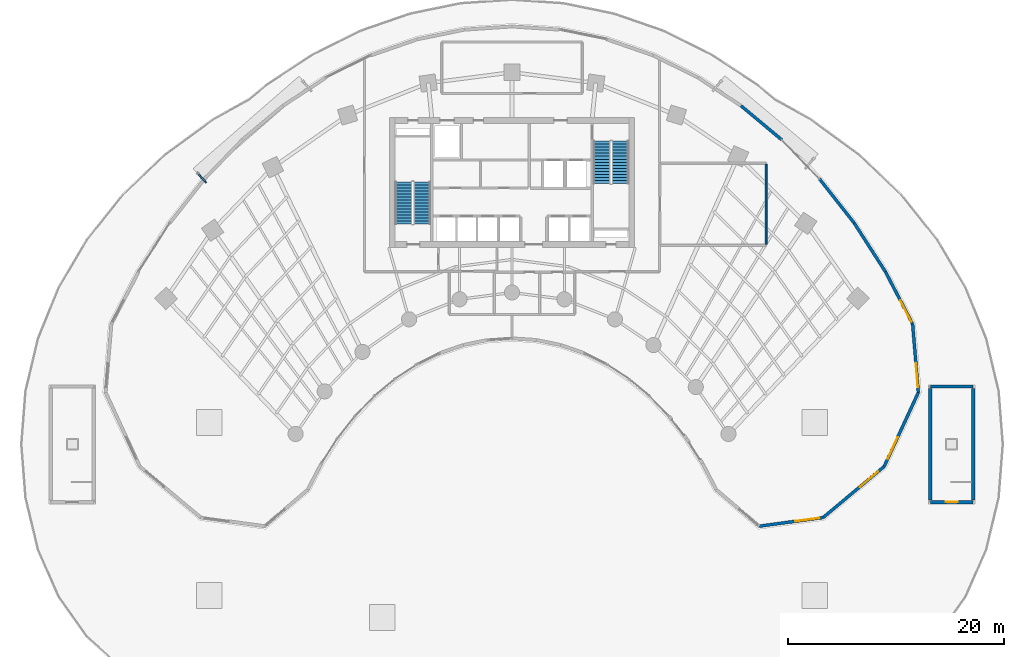
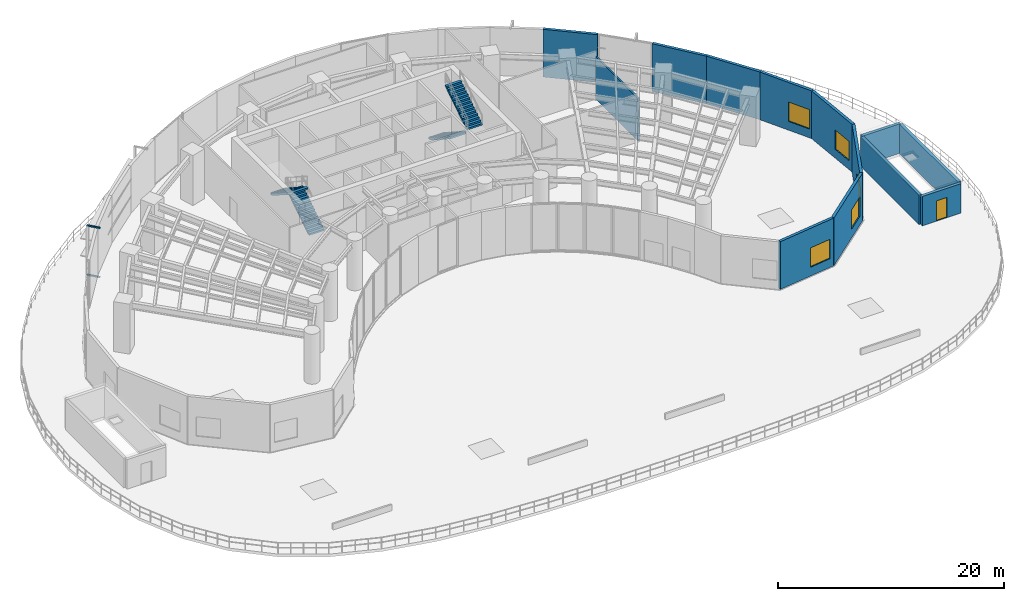
# One storey, part 12 of 17: 13 walls, 5 windows, 4 stair flights, 2 discrete accessories, 1 door, 6 openings, 2 elements without a shape of their own.
"""IFC4 building model written with IfcOpenShell, lengths in metres."""

from ifc_helpers import new_model, si_unit, direction, frame, frame_2d, origin, origin_2d, place, context, subcontext, project, spatial, polyline, rectangle, outline, extrude, source, transform, mapped, material, layer, layer_set, type_object, type_shapes, element, fill, aggregate, save


model = new_model("IFC4")

# Units and contexts
model_context = context("Model", 3, precision=1e-05, world=origin(), true_north=direction((0.0, 1.0)))
body_context = subcontext(model_context, "Body", "Model", "MODEL_VIEW")
ifc_project = project(units=[si_unit("LENGTHUNIT", "METRE"), si_unit("AREAUNIT", "SQUARE_METRE"), si_unit("VOLUMEUNIT", "CUBIC_METRE"), si_unit("PLANEANGLEUNIT", "RADIAN"), si_unit("MASSUNIT", "GRAM", prefix="KILO")], contexts=[model_context])

# Site, building, storey
site_placement = place(None, origin())
site = spatial("IfcSite", under=ifc_project, at=site_placement, CompositionType="ELEMENT")
building_placement = place(site_placement, origin())
building = spatial("IfcBuilding", under=site, at=building_placement, Name="Breltana Convention Tower", CompositionType="ELEMENT")
storey_placement = place(building_placement, frame((0.0, 0.0, 30.0)))
storey = spatial("IfcBuildingStorey", under=building, at=storey_placement, Name="L05", CompositionType="ELEMENT", Elevation=30.0)

# Wall, opening, window
ifc_material_1 = material(Name="Limestone Buff Insulated Wall", Category="masonry")
ifc_layer_1 = layer(ifc_material_1, 0.280029296875, Name="Limestone Buff Insulated Wall")
ifc_layer_set_1 = layer_set([ifc_layer_1], Name="Limestone Buff Insulated Wall")
wall_type_1 = type_object("IfcWallType", Name="WL-EXT-NOSE-280", PredefinedType="SOLIDWALL", material=ifc_layer_set_1)
shared_shape_1 = source(origin(), body_context, "Body", "SweptSolid", [
    extrude(rectangle(XDim=6.3525390625, YDim=0.280029296875, at=frame_2d((3.17626953125, 0.0))), origin(), (0.0, 0.0, 1.0), 5.159912109375),
])
type_shapes(wall_type_1, [shared_shape_1])
wall_1_placement = place(storey_placement, frame((85.052978515625, 53.1220703125, 0.0), z_axis=(0.0, 0.0, 1.0), x_axis=(0.083319001377, -0.996522926986, 0.0)))
wall_1 = element("IfcWall", 1, at=wall_1_placement, inside=storey, type_object=wall_type_1, Name="L05 curved limestone nose wall E1", PredefinedType="SOLIDWALL", context=body_context, shape_type="MappedRepresentation", body=[
    mapped(shared_shape_1, transform((0.0, 0.0, 0.0), scale=1.0)),
])
opening_1_placement = place(wall_1_placement, frame((3.664306640625, 0.0, 0.949951171875)))
opening_1 = element("IfcOpeningElement", 2, at=opening_1_placement, cuts=wall_1, Name="Opening W-03", PredefinedType="OPENING", context=body_context, shape_type="SweptSolid", body=[
    extrude(rectangle(XDim=2.199951171875, YDim=2.10009765625, at=frame_2d((1.10009765625, 1.050048828125))), frame((0.0, 0.14990234375, 0.0), z_axis=(0.0, -1.0, 0.0), x_axis=(1.0, 0.0, 0.0)), (0.0, 0.0, 1.0), 0.300048828125),
])
ifc_material_2 = material(Name="Glass Low-E Insulated Window", Category="glass")
window_type = type_object("IfcWindowType", Name="WN-NOSE-2200X2100", PartitioningType="TRIPLE_PANEL_VERTICAL", PredefinedType="WINDOW", material=ifc_material_2)
shared_shape_2 = source(origin(), body_context, "Body", "SweptSolid", [
    extrude(rectangle(XDim=2.199951171875, YDim=2.10009765625, at=frame_2d((1.10009765625, 1.050048828125))), frame((0.0, 0.030029296875, 0.0), z_axis=(0.0, -1.0, 0.0), x_axis=(1.0, 0.0, 0.0)), (0.0, 0.0, 1.0), 0.06005859375),
])
type_shapes(window_type, [shared_shape_2])
window_1_placement = place(opening_1_placement, origin())
window_1 = element("IfcWindow", 3, at=window_1_placement, inside=storey, type_object=window_type, Name="L05 nose window E1", OverallHeight=2.10009765625, OverallWidth=2.199951171875, PartitioningType="TRIPLE_PANEL_VERTICAL", PredefinedType="WINDOW", context=body_context, shape_type="MappedRepresentation", body=[
    mapped(shared_shape_2, transform((0.0, 0.0, 0.0), scale=1.0)),
])
fill(opening_1, window_1)

shared_shape_3 = source(origin(), body_context, "Body", "SweptSolid", [
    extrude(rectangle(XDim=7.536376953125, YDim=0.280029296875, at=frame_2d((3.76806640625, 0.0))), origin(), (0.0, 0.0, 1.0), 5.159912109375),
])
wall_2_placement = place(storey_placement, frame((85.582275390625, 46.79150390625, 0.0), z_axis=(0.0, 0.0, 1.0), x_axis=(-0.41964973873, -0.907686122393, 0.0)))
wall_2 = element("IfcWall", 4, at=wall_2_placement, inside=storey, type_object=wall_type_1, Name="L05 curved limestone nose wall E2", PredefinedType="SOLIDWALL", context=body_context, shape_type="MappedRepresentation", body=[
    mapped(shared_shape_3, transform((0.0, 0.0, 0.0), scale=1.0)),
])
opening_2_placement = place(wall_2_placement, frame((4.55224609375, 0.0, 0.949951171875)))
opening_2 = element("IfcOpeningElement", 5, at=opening_2_placement, cuts=wall_2, Name="Opening W-03", PredefinedType="OPENING", context=body_context, shape_type="SweptSolid", body=[
    extrude(rectangle(XDim=2.199951171875, YDim=2.10009765625, at=frame_2d((1.10009765625, 1.050048828125))), frame((0.0, 0.14990234375, 0.0), z_axis=(0.0, -1.0, 0.0), x_axis=(1.0, 0.0, 0.0)), (0.0, 0.0, 1.0), 0.300048828125),
])
window_2_placement = place(opening_2_placement, origin())
window_2 = element("IfcWindow", 6, at=window_2_placement, inside=storey, type_object=window_type, Name="L05 nose window E2", OverallHeight=2.10009765625, OverallWidth=2.199951171875, PartitioningType="TRIPLE_PANEL_VERTICAL", PredefinedType="WINDOW", context=body_context, shape_type="MappedRepresentation", body=[
    mapped(shared_shape_2, transform((0.0, 0.0, 0.0), scale=1.0)),
])
fill(opening_2, window_2)

shared_shape_4 = source(origin(), body_context, "Body", "SweptSolid", [
    extrude(rectangle(XDim=7.35888671875, YDim=0.280029296875, at=frame_2d((3.679443359375, 0.0))), origin(), (0.0, 0.0, 1.0), 5.159912109375),
])
wall_3_placement = place(storey_placement, frame((82.419677734375, 39.950927734375, 0.0), z_axis=(0.0, 0.0, 1.0), x_axis=(-0.766737165543, -0.641961150675, 0.0)))
wall_3 = element("IfcWall", 7, at=wall_3_placement, inside=storey, type_object=wall_type_1, Name="L05 curved limestone nose wall E3", PredefinedType="SOLIDWALL", context=body_context, shape_type="MappedRepresentation", body=[
    mapped(shared_shape_4, transform((0.0, 0.0, 0.0), scale=1.0)),
])
opening_3_placement = place(wall_3_placement, frame((0.73974609375, 0.0, 0.949951171875)))
opening_3 = element("IfcOpeningElement", 8, at=opening_3_placement, cuts=wall_3, Name="Opening W-03", PredefinedType="OPENING", context=body_context, shape_type="SweptSolid", body=[
    extrude(rectangle(XDim=2.199951171875, YDim=2.10009765625, at=frame_2d((1.10009765625, 1.050048828125))), frame((0.0, 0.14990234375, 0.0), z_axis=(0.0, -1.0, 0.0), x_axis=(1.0, 0.0, 0.0)), (0.0, 0.0, 1.0), 0.300048828125),
])
window_3_placement = place(opening_3_placement, origin())
window_3 = element("IfcWindow", 9, at=window_3_placement, inside=storey, type_object=window_type, Name="L05 nose window E3", OverallHeight=2.10009765625, OverallWidth=2.199951171875, PartitioningType="TRIPLE_PANEL_VERTICAL", PredefinedType="WINDOW", context=body_context, shape_type="MappedRepresentation", body=[
    mapped(shared_shape_2, transform((0.0, 0.0, 0.0), scale=1.0)),
])
fill(opening_3, window_3)

shared_shape_5 = source(origin(), body_context, "Body", "SweptSolid", [
    extrude(rectangle(XDim=5.96728515625, YDim=0.280029296875, at=frame_2d((2.983642578125, 0.0))), origin(), (0.0, 0.0, 1.0), 5.159912109375),
])
wall_4_placement = place(storey_placement, frame((76.77734375, 35.226806640625, 0.0), z_axis=(0.0, 0.0, 1.0), x_axis=(-0.990927009341, -0.134401124099, 0.0)))
wall_4 = element("IfcWall", 10, at=wall_4_placement, inside=storey, type_object=wall_type_1, Name="L05 curved limestone nose wall E4", PredefinedType="SOLIDWALL", context=body_context, shape_type="MappedRepresentation", body=[
    mapped(shared_shape_5, transform((0.0, 0.0, 0.0), scale=1.0)),
])
opening_4_placement = place(wall_4_placement, frame((0.391845703125, 0.0, 0.949951171875)))
opening_4 = element("IfcOpeningElement", 11, at=opening_4_placement, cuts=wall_4, Name="Opening W-03", PredefinedType="OPENING", context=body_context, shape_type="SweptSolid", body=[
    extrude(rectangle(XDim=2.199951171875, YDim=2.10009765625, at=frame_2d((1.10009765625, 1.050048828125))), frame((0.0, 0.14990234375, 0.0), z_axis=(0.0, -1.0, 0.0), x_axis=(1.0, 0.0, 0.0)), (0.0, 0.0, 1.0), 0.300048828125),
])
window_4_placement = place(opening_4_placement, origin())
window_4 = element("IfcWindow", 12, at=window_4_placement, inside=storey, type_object=window_type, Name="L05 nose window E4", OverallHeight=2.10009765625, OverallWidth=2.199951171875, PartitioningType="TRIPLE_PANEL_VERTICAL", PredefinedType="WINDOW", context=body_context, shape_type="MappedRepresentation", body=[
    mapped(shared_shape_2, transform((0.0, 0.0, 0.0), scale=1.0)),
])
fill(opening_4, window_4)

shared_shape_6 = source(origin(), body_context, "Body", "SweptSolid", [
    extrude(rectangle(XDim=5.45947265625, YDim=0.280029296875, at=frame_2d((2.729736328125, 0.0))), origin(), (0.0, 0.0, 1.0), 5.159912109375),
])
wall_5_placement = place(storey_placement, frame((82.531982421875, 57.964599609375, 0.0), z_axis=(0.0, 0.0, 1.0), x_axis=(0.461768054321, -0.887000712518, 0.0)))
wall_5 = element("IfcWall", 13, at=wall_5_placement, inside=storey, type_object=wall_type_1, Name="L05 curved limestone nose wall E26", PredefinedType="SOLIDWALL", context=body_context, shape_type="MappedRepresentation", body=[
    mapped(shared_shape_6, transform((0.0, 0.0, 0.0), scale=1.0)),
])
opening_5_placement = place(wall_5_placement, frame((2.99462890625, 0.0, 0.949951171875)))
opening_5 = element("IfcOpeningElement", 14, at=opening_5_placement, cuts=wall_5, Name="Opening W-03", PredefinedType="OPENING", context=body_context, shape_type="SweptSolid", body=[
    extrude(rectangle(XDim=2.199951171875, YDim=2.10009765625, at=frame_2d((1.10009765625, 1.050048828125))), frame((0.0, 0.14990234375, 0.0), z_axis=(0.0, -1.0, 0.0), x_axis=(1.0, 0.0, 0.0)), (0.0, 0.0, 1.0), 0.300048828125),
])
window_5_placement = place(opening_5_placement, origin())
window_5 = element("IfcWindow", 15, at=window_5_placement, inside=storey, type_object=window_type, Name="L05 nose window E26", OverallHeight=2.10009765625, OverallWidth=2.199951171875, PartitioningType="TRIPLE_PANEL_VERTICAL", PredefinedType="WINDOW", context=body_context, shape_type="MappedRepresentation", body=[
    mapped(shared_shape_2, transform((0.0, 0.0, 0.0), scale=1.0)),
])
fill(opening_5, window_5)

# Walls
shared_shape_7 = source(origin(), body_context, "Body", "SweptSolid", [
    extrude(rectangle(XDim=5.194580078125, YDim=0.280029296875, at=frame_2d((2.59716796875, 0.0))), origin(), (0.0, 0.0, 1.0), 5.159912109375),
])
wall_6_placement = place(storey_placement, frame((76.43310546875, 66.54638671875, 0.0), z_axis=(0.0, 0.0, 1.0), x_axis=(0.618168122607, -0.786045909724, 0.0)))
element("IfcWall", 16, at=wall_6_placement, inside=storey, type_object=wall_type_1, Name="L05 curved limestone nose wall E24", PredefinedType="SOLIDWALL", context=body_context, shape_type="MappedRepresentation", body=[
    mapped(shared_shape_7, transform((0.0, 0.0, 0.0), scale=1.0)),
])
shared_shape_8 = source(origin(), body_context, "Body", "SweptSolid", [
    extrude(rectangle(XDim=4.890869140625, YDim=0.280029296875, at=frame_2d((2.4453125, 0.0))), origin(), (0.0, 0.0, 1.0), 5.159912109375),
])
wall_7_placement = place(storey_placement, frame((69.17578125, 73.3056640625, 0.0), z_axis=(0.0, 0.0, 1.0), x_axis=(0.767926604795, -0.640537844041, 0.0)))
element("IfcWall", 17, at=wall_7_placement, inside=storey, type_object=wall_type_1, Name="L05 curved limestone nose wall E23", PredefinedType="SOLIDWALL", context=body_context, shape_type="MappedRepresentation", body=[
    mapped(shared_shape_8, transform((0.0, 0.0, 0.0), scale=1.0)),
])
shared_shape_9 = source(origin(), body_context, "Body", "SweptSolid", [
    extrude(rectangle(XDim=5.345703125, YDim=0.280029296875, at=frame_2d((2.6728515625, 0.0))), origin(), (0.0, 0.0, 1.0), 5.159912109375),
])
wall_8_placement = place(storey_placement, frame((79.644287109375, 62.463134765625, 0.0), z_axis=(0.0, 0.0, 1.0), x_axis=(0.540198865578, -0.841537394076, 0.0)))
element("IfcWall", 18, at=wall_8_placement, inside=storey, type_object=wall_type_1, Name="L05 curved limestone nose wall E25", PredefinedType="SOLIDWALL", context=body_context, shape_type="MappedRepresentation", body=[
    mapped(shared_shape_9, transform((0.0, 0.0, 0.0), scale=1.0)),
])

# Wall, opening, door
ifc_layer_2 = layer(ifc_material_1, 0.35009765625, Name="Limestone Buff Insulated Wall")
ifc_layer_set_2 = layer_set([ifc_layer_2], Name="Limestone Buff Insulated Wall")
wall_type_2 = type_object("IfcWallType", Name="WL-EXT-POD-350", PredefinedType="SOLIDWALL", material=ifc_layer_set_2)
shared_shape_10 = source(origin(), body_context, "Body", "SweptSolid", [
    extrude(rectangle(XDim=3.969970703125, YDim=0.300048828125, at=frame_2d((1.98486328125, 0.0))), origin(), (0.0, 0.0, 1.0), 3.18994140625),
])
wall_9_placement = place(storey_placement, frame((86.679931640625, 36.64990234375, 0.0), z_axis=(0.0, 0.0, 1.0), x_axis=(1.0, 0.0, 0.0)))
wall_9 = element("IfcWall", 19, at=wall_9_placement, inside=storey, type_object=wall_type_2, Name="L05 ST4 headhouse bearing wall S", PredefinedType="SOLIDWALL", context=body_context, shape_type="MappedRepresentation", body=[
    mapped(shared_shape_10, transform((0.0, 0.0, 0.0), scale=1.0)),
])
opening_6_placement = place(wall_9_placement, frame((1.43505859375, 0.0, 0.0)))
opening_6 = element("IfcOpeningElement", 20, at=opening_6_placement, cuts=wall_9, Name="Opening ED-02", PredefinedType="OPENING", context=body_context, shape_type="SweptSolid", body=[
    extrude(rectangle(XDim=1.10009765625, YDim=2.199951171875, at=frame_2d((0.550048828125, 1.10009765625))), frame((0.0, 0.16015625, 0.0), z_axis=(0.0, -1.0, 0.0), x_axis=(1.0, 0.0, 0.0)), (0.0, 0.0, 1.0), 0.320068359375),
])
ifc_material_3 = material(Name="Steel Insulated Fire Door", Category="steel")
door_type = type_object("IfcDoorType", Name="DR-EXT-FCC-1100", OperationType="NOTDEFINED", PredefinedType="DOOR", material=ifc_material_3)
shared_shape_11 = source(origin(), body_context, "Body", "SweptSolid", [
    extrude(rectangle(XDim=1.10009765625, YDim=2.199951171875, at=frame_2d((0.550048828125, 1.10009765625))), frame((0.0, 0.02490234375, 0.0), z_axis=(0.0, -1.0, 0.0), x_axis=(1.0, 0.0, 0.0)), (0.0, 0.0, 1.0), 0.050048828125),
])
type_shapes(door_type, [shared_shape_11])
door_placement = place(opening_6_placement, origin())
door = element("IfcDoor", 21, at=door_placement, inside=storey, type_object=door_type, Name="L05 ST4 garden headhouse exit door", OperationType="SINGLE_SWING_LEFT", OverallHeight=2.199951171875, OverallWidth=1.10009765625, PredefinedType="DOOR", context=body_context, shape_type="MappedRepresentation", body=[
    mapped(shared_shape_11, transform((0.0, 0.0, 0.0), scale=1.0)),
])
fill(opening_6, door)

# Walls
wall_10_placement = place(storey_placement, frame((86.679931640625, 47.35009765625, 0.0), z_axis=(0.0, 0.0, 1.0), x_axis=(1.0, 0.0, 0.0)))
element("IfcWall", 22, at=wall_10_placement, inside=storey, type_object=wall_type_2, Name="L05 ST4 headhouse bearing wall N", PredefinedType="SOLIDWALL", context=body_context, shape_type="MappedRepresentation", body=[
    mapped(shared_shape_10, transform((0.0, 0.0, 0.0), scale=1.0)),
])
shared_shape_12 = source(origin(), body_context, "Body", "SweptSolid", [
    extrude(rectangle(XDim=10.33984375, YDim=0.300048828125, at=frame_2d((5.169921875, 0.0))), origin(), (0.0, 0.0, 1.0), 3.18994140625),
])
for number, where, z_axis, x_axis, name in (
    (23, (86.679931640625, 36.830078125, 0.0), (0.0, 0.0, 1.0), (0.0, 1.0, 0.0), "L05 ST4 headhouse bearing wall W"),
    (24, (90.64990234375, 36.830078125, 0.0), (0.0, 0.0, 1.0), (0.0, 1.0, 0.0), "L05 ST4 headhouse bearing wall E"),
):
    element("IfcWall", number, at=place(storey_placement, frame(where, z_axis=z_axis, x_axis=x_axis)), inside=storey, type_object=wall_type_2, Name=name, PredefinedType="SOLIDWALL", context=body_context, shape_type="MappedRepresentation", body=[
        mapped(shared_shape_12, transform((0.0, 0.0, 0.0), scale=1.0)),
    ])
ifc_material_4 = material(Name="Cement Board Wet-Area Partition")
ifc_layer_3 = layer(ifc_material_4, 0.175048828125, Name="Cement Board Wet-Area Partition")
ifc_layer_set_3 = layer_set([ifc_layer_3], Name="Cement Board Wet-Area Partition")
wall_type_3 = type_object("IfcWallType", Name="WL-WET-175", PredefinedType="PARTITIONING", material=ifc_layer_set_3)
shared_shape_13 = source(origin(), body_context, "Body", "SweptSolid", [
    extrude(rectangle(XDim=7.442626953125, YDim=0.175048828125, at=frame_2d((3.72119140625, 0.0))), origin(), (0.0, 0.0, 1.0), 4.591064453125),
])
wall_11_placement = place(storey_placement, frame((71.5, 60.478759765625, 0.0), z_axis=(0.0, 0.0, 1.0), x_axis=(0.0, 1.0, 0.0)))
element("IfcWall", 25, at=wall_11_placement, inside=storey, type_object=wall_type_3, Name="L05 interior partition W-L05-HKIT-E", PredefinedType="PARTITIONING", context=body_context, shape_type="MappedRepresentation", body=[
    mapped(shared_shape_13, transform((0.0, 0.0, 0.0), scale=1.0)),
])

# Stair, stair flights
ifc_material_5 = material(Name="Concrete C40/50", Category="concrete")
stair_type = type_object("IfcStairType", Name="ST-DOG-1560-R180", PredefinedType="HALF_TURN_STAIR", material=ifc_material_5)
stair_1_placement = place(storey_placement, origin())
stair_1 = element("IfcStair", 26, at=stair_1_placement, inside=storey, type_object=stair_type, Name="L05 Protected Core Exit Stair ST-1", PredefinedType="HALF_TURN_STAIR")
stair_flight_type = type_object("IfcStairFlightType", Name="STF-DOG-1560-N15-R180", PredefinedType="STRAIGHT", material=ifc_material_5)
stair_flight_1_placement = place(storey_placement, frame((39.68994140625, 62.360107421875, 0.0), z_axis=(0.0, 0.0, 1.0), x_axis=(0.0, 1.0, 0.0)))
stair_flight_1 = element("IfcStairFlight", 27, at=stair_flight_1_placement, type_object=stair_flight_type, Name="ST-1 flight 1", NumberOfRisers=15, NumberOfTreads=14, PredefinedType="STRAIGHT", RiserHeight=0.18, TreadLength=0.28, context=body_context, shape_type="SweptSolid", body=[
    extrude(outline(polyline([(0.0, 0.0), (0.0, 0.179931640625), (0.280029296875, 0.179931640625), (0.280029296875, 0.360107421875), (0.56005859375, 0.360107421875), (0.56005859375, 0.5400390625), (0.840087890625, 0.5400390625), (0.840087890625, 0.719970703125), (1.1201171875, 0.719970703125), (1.1201171875, 0.89990234375), (1.39990234375, 0.89990234375), (1.39990234375, 1.080078125), (1.679931640625, 1.080078125), (1.679931640625, 1.260009765625), (1.9599609375, 1.260009765625), (1.9599609375, 1.43994140625), (2.239990234375, 1.43994140625), (2.239990234375, 1.6201171875), (2.52001953125, 1.6201171875), (2.52001953125, 1.800048828125), (2.800048828125, 1.800048828125), (2.800048828125, 1.97998046875), (3.080078125, 1.97998046875), (3.080078125, 2.159912109375), (3.360107421875, 2.159912109375), (3.360107421875, 2.340087890625), (3.639892578125, 2.340087890625), (3.639892578125, 2.52001953125), (3.919921875, 2.52001953125), (3.919921875, 2.699951171875), (3.919921875, 2.341796875), (0.277099609375, 0.0), (0.0, 0.0)])), frame((0.0, 0.780029296875, 0.0), z_axis=(0.0, -1.0, 0.0), x_axis=(1.0, 0.0, 0.0)), (0.0, 0.0, 1.0), 1.56005859375),
])
stair_flight_2_placement = place(storey_placement, frame((37.97998046875, 66.280029296875, 2.699951171875), z_axis=(0.0, 0.0, 1.0), x_axis=(0.0, -1.0, 0.0)))
stair_flight_2 = element("IfcStairFlight", 28, at=stair_flight_2_placement, type_object=stair_flight_type, Name="ST-1 flight 2", NumberOfRisers=15, NumberOfTreads=14, PredefinedType="STRAIGHT", RiserHeight=0.18, TreadLength=0.28, context=body_context, shape_type="SweptSolid", body=[
    extrude(outline(polyline([(0.0, 0.0), (0.0, 0.179931640625), (0.280029296875, 0.179931640625), (0.280029296875, 0.360107421875), (0.56005859375, 0.360107421875), (0.56005859375, 0.5400390625), (0.840087890625, 0.5400390625), (0.840087890625, 0.719970703125), (1.1201171875, 0.719970703125), (1.1201171875, 0.89990234375), (1.39990234375, 0.89990234375), (1.39990234375, 1.080078125), (1.679931640625, 1.080078125), (1.679931640625, 1.260009765625), (1.9599609375, 1.260009765625), (1.9599609375, 1.43994140625), (2.239990234375, 1.43994140625), (2.239990234375, 1.6201171875), (2.52001953125, 1.6201171875), (2.52001953125, 1.800048828125), (2.800048828125, 1.800048828125), (2.800048828125, 1.97998046875), (3.080078125, 1.97998046875), (3.080078125, 2.159912109375), (3.360107421875, 2.159912109375), (3.360107421875, 2.340087890625), (3.639892578125, 2.340087890625), (3.639892578125, 2.52001953125), (3.919921875, 2.52001953125), (3.919921875, 2.699951171875), (3.919921875, 2.341796875), (0.277099609375, 0.0), (0.0, 0.0)])), frame((0.0, 0.780029296875, 0.0), z_axis=(0.0, -1.0, 0.0), x_axis=(1.0, 0.0, 0.0)), (0.0, 0.0, 1.0), 1.56005859375),
])
aggregate(stair_1, [stair_flight_1, stair_flight_2])

stair_2_placement = place(storey_placement, origin())
stair_2 = element("IfcStair", 29, at=stair_2_placement, inside=storey, type_object=stair_type, Name="L05 Protected Core Exit Stair ST-2", PredefinedType="HALF_TURN_STAIR")
stair_flight_3_placement = place(storey_placement, frame((56.31005859375, 70.0400390625, 0.0), z_axis=(0.0, 0.0, 1.0), x_axis=(0.0, -1.0, 0.0)))
stair_flight_3 = element("IfcStairFlight", 30, at=stair_flight_3_placement, type_object=stair_flight_type, Name="ST-2 flight 1", NumberOfRisers=15, NumberOfTreads=14, PredefinedType="STRAIGHT", RiserHeight=0.18, TreadLength=0.28, context=body_context, shape_type="SweptSolid", body=[
    extrude(outline(polyline([(0.0, 0.0), (0.0, 0.179931640625), (0.280029296875, 0.179931640625), (0.280029296875, 0.360107421875), (0.56005859375, 0.360107421875), (0.56005859375, 0.5400390625), (0.840087890625, 0.5400390625), (0.840087890625, 0.719970703125), (1.1201171875, 0.719970703125), (1.1201171875, 0.89990234375), (1.39990234375, 0.89990234375), (1.39990234375, 1.080078125), (1.679931640625, 1.080078125), (1.679931640625, 1.260009765625), (1.9599609375, 1.260009765625), (1.9599609375, 1.43994140625), (2.239990234375, 1.43994140625), (2.239990234375, 1.6201171875), (2.52001953125, 1.6201171875), (2.52001953125, 1.800048828125), (2.800048828125, 1.800048828125), (2.800048828125, 1.97998046875), (3.080078125, 1.97998046875), (3.080078125, 2.159912109375), (3.360107421875, 2.159912109375), (3.360107421875, 2.340087890625), (3.639892578125, 2.340087890625), (3.639892578125, 2.52001953125), (3.919921875, 2.52001953125), (3.919921875, 2.699951171875), (3.919921875, 2.341796875), (0.277099609375, 0.0), (0.0, 0.0)])), frame((0.0, 0.780029296875, 0.0), z_axis=(0.0, -1.0, 0.0), x_axis=(1.0, 0.0, 0.0)), (0.0, 0.0, 1.0), 1.56005859375),
])
stair_flight_4_placement = place(storey_placement, frame((58.02001953125, 66.1201171875, 2.699951171875), z_axis=(0.0, 0.0, 1.0), x_axis=(0.0, 1.0, 0.0)))
stair_flight_4 = element("IfcStairFlight", 31, at=stair_flight_4_placement, type_object=stair_flight_type, Name="ST-2 flight 2", NumberOfRisers=15, NumberOfTreads=14, PredefinedType="STRAIGHT", RiserHeight=0.18, TreadLength=0.28, context=body_context, shape_type="SweptSolid", body=[
    extrude(outline(polyline([(0.0, 0.0), (0.0, 0.179931640625), (0.280029296875, 0.179931640625), (0.280029296875, 0.360107421875), (0.56005859375, 0.360107421875), (0.56005859375, 0.5400390625), (0.840087890625, 0.5400390625), (0.840087890625, 0.719970703125), (1.1201171875, 0.719970703125), (1.1201171875, 0.89990234375), (1.39990234375, 0.89990234375), (1.39990234375, 1.080078125), (1.679931640625, 1.080078125), (1.679931640625, 1.260009765625), (1.9599609375, 1.260009765625), (1.9599609375, 1.43994140625), (2.239990234375, 1.43994140625), (2.239990234375, 1.6201171875), (2.52001953125, 1.6201171875), (2.52001953125, 1.800048828125), (2.800048828125, 1.800048828125), (2.800048828125, 1.97998046875), (3.080078125, 1.97998046875), (3.080078125, 2.159912109375), (3.360107421875, 2.159912109375), (3.360107421875, 2.340087890625), (3.639892578125, 2.340087890625), (3.639892578125, 2.52001953125), (3.919921875, 2.52001953125), (3.919921875, 2.699951171875), (3.919921875, 2.341796875), (0.277099609375, 0.0), (0.0, 0.0)])), frame((0.0, 0.780029296875, 0.0), z_axis=(0.0, -1.0, 0.0), x_axis=(1.0, 0.0, 0.0)), (0.0, 0.0, 1.0), 1.56005859375),
])
aggregate(stair_2, [stair_flight_3, stair_flight_4])

# Discrete accessories
ifc_material_6 = material(Name="Steel S355", Category="steel")
discrete_accessory_type = type_object("IfcDiscreteAccessoryType", Name="ACC-DSF-BRACKET-150", PredefinedType="BRACKET", material=ifc_material_6)
shared_shape_14 = source(origin(), body_context, "Body", "SweptSolid", [
    extrude(rectangle(XDim=1.239990234375, YDim=0.14990234375, at=origin_2d()), origin(), (0.0, 0.0, 1.0), 0.139892578125),
])
type_shapes(discrete_accessory_type, [shared_shape_14])
for number, where, z_axis, x_axis, name in (
    (32, (19.310791015625, 66.643798828125, -0.16015625), (0.0, 0.0, 1.0), (-0.656456838663, 0.754363585397, 0.0), "L05 double-skin slab stand-off bracket 1.1B"),
    (33, (19.310791015625, 66.643798828125, 5.16015625), (0.0, 0.0, 1.0), (-0.656456838663, 0.754363585397, 0.0), "L05 double-skin slab stand-off bracket 1.1T"),
):
    element("IfcDiscreteAccessory", number, at=place(storey_placement, frame(where, z_axis=z_axis, x_axis=x_axis)), inside=storey, type_object=discrete_accessory_type, Name=name, PredefinedType="BRACKET", context=body_context, shape_type="MappedRepresentation", body=[
        mapped(shared_shape_14, transform((0.0, 0.0, 0.0), scale=1.0)),
    ])

save(model, "model.ifc")
